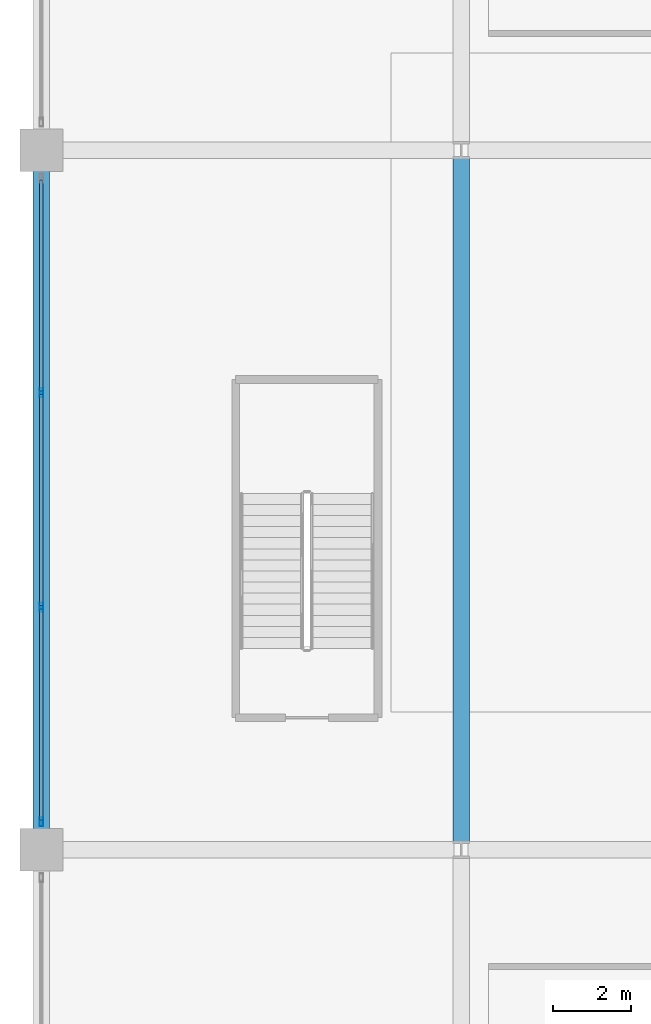
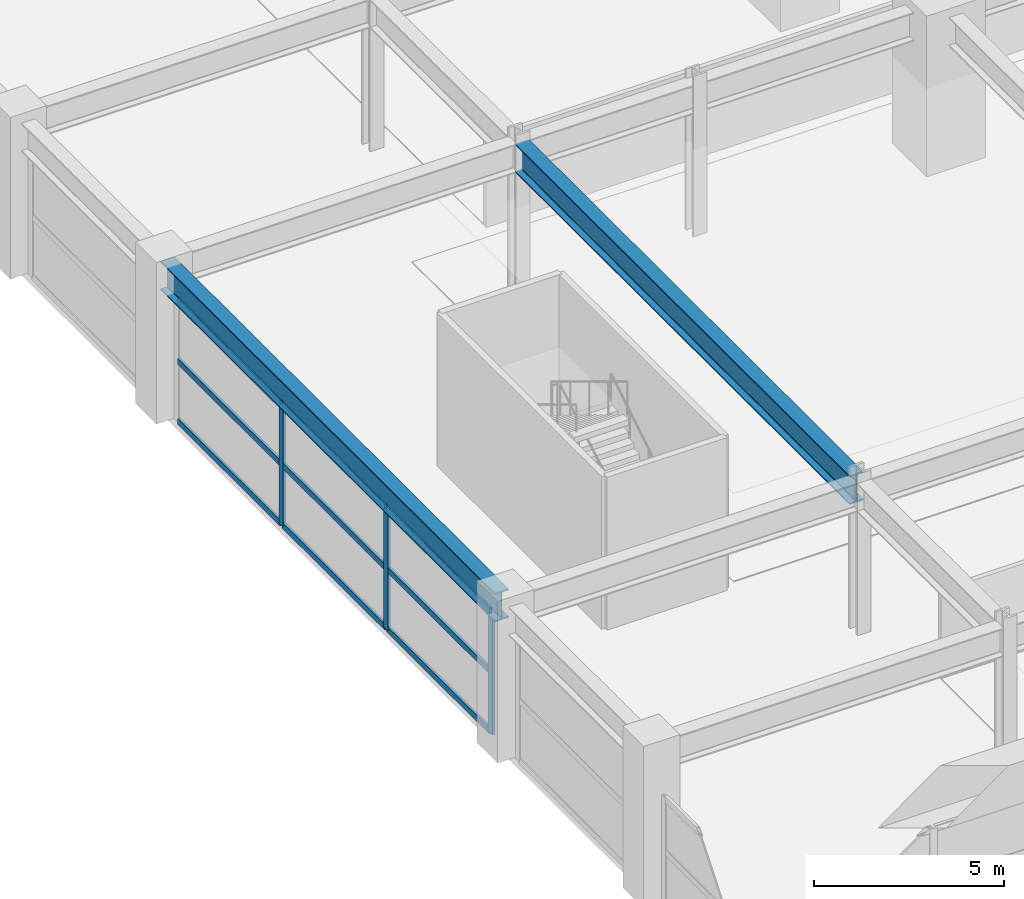
# One storey, part 9 of 43: 12 members, 2 beams, 1 element without a shape of its own.
"""IFC4 building model written with IfcOpenShell, lengths in metres."""

import ifcopenshell
import ifcopenshell.guid

model = None  # the IFC model being written
_history = None  # IfcOwnerHistory: only IFC2X3 demands one
_inside = {}  # id of a spatial element -> (the spatial element, [elements in it])
_under = {}  # id of a project, library or spatial element -> (it, [spatial elements below it])
_declared = {}  # id of a project -> (the project, [libraries it declares])
_typed = {}  # id of a type object -> (the type object, [elements of that type])
_made_of = {}  # id of a material, layer set ... -> (it, [elements and type objects made of it])


def new_model(schema):
    """Start an empty IFC model of exactly this schema.

    Asked for "IFC4X3", IfcOpenShell would pick the latest addendum, in which some entities
    have other attributes; the version numbers below select the first issue.
    IFC2X3 requires an IfcOwnerHistory on every rooted entity: one is made here for all.
    """
    global model, _history
    if schema == "IFC4X3":
        model = ifcopenshell.file(schema_version=(4, 3, 0, 0))
    else:
        model = ifcopenshell.file(schema=schema)
    _inside.clear()
    _under.clear()
    _declared.clear()
    _typed.clear()
    _made_of.clear()
    _history = None
    if model.schema == "IFC2X3":
        org = make("IfcOrganization", Name="unknown")
        user = make(
            "IfcPersonAndOrganization",
            ThePerson=make("IfcPerson", FamilyName="unknown"),
            TheOrganization=org,
        )
        app = make(
            "IfcApplication",
            ApplicationDeveloper=org,
            Version="unknown",
            ApplicationFullName="unknown",
            ApplicationIdentifier="unknown",
        )
        _history = make(
            "IfcOwnerHistory",
            OwningUser=user,
            OwningApplication=app,
            ChangeAction="ADDED",
            CreationDate=0,
        )
    return model


def make(cls, **values):
    """One entity of the class cls with the attributes given. An attribute that is None is left unset."""
    return model.create_entity(
        cls, **{name: value for name, value in values.items() if value is not None}
    )


def rooted(cls, **values):
    """An entity with a GlobalId (a new one), such as an element, a storey or a relation."""
    return make(cls, GlobalId=ifcopenshell.guid.new(), OwnerHistory=_history, **values)


def si_unit(unit_type, name, prefix=None):
    """IfcSIUnit, for example si_unit("LENGTHUNIT", "METRE", prefix="MILLI")."""
    return make("IfcSIUnit", UnitType=unit_type, Prefix=prefix, Name=name)


def assignment(units):
    """IfcUnitAssignment: the units of a project."""
    return None if units is None else make("IfcUnitAssignment", Units=units)


def point(xyz):
    """IfcCartesianPoint."""
    return None if xyz is None else make("IfcCartesianPoint", Coordinates=xyz)


def direction(xyz):
    """IfcDirection."""
    return None if xyz is None else make("IfcDirection", DirectionRatios=xyz)


def frame(location, z_axis=None, x_axis=None):
    """IfcAxis2Placement3D, a coordinate frame: its origin and axes. An axis left out is left unset."""
    return make(
        "IfcAxis2Placement3D",
        Location=point(location),
        Axis=direction(z_axis),
        RefDirection=direction(x_axis),
    )


def frame_2d(location, x_axis=None):
    """IfcAxis2Placement2D, a coordinate frame in the plane: its origin and x axis."""
    return make(
        "IfcAxis2Placement2D", Location=point(location), RefDirection=direction(x_axis)
    )


def origin():
    """The frame at (0, 0, 0) with its axes left unset."""
    return frame((0.0, 0.0, 0.0))


def origin_2d():
    """The frame at (0, 0) in the plane with its x axis left unset."""
    return frame_2d((0.0, 0.0))


def place(relative_to, where):
    """IfcLocalPlacement: puts the frame where relative to a parent placement (None: the world)."""
    return make(
        "IfcLocalPlacement", PlacementRelTo=relative_to, RelativePlacement=where
    )


def context(
    kind, dimensions, precision=None, world=None, true_north=None, identifier=None
):
    """IfcGeometricRepresentationContext, for example the 3D "Model" context."""
    return make(
        "IfcGeometricRepresentationContext",
        ContextIdentifier=identifier,
        ContextType=kind,
        CoordinateSpaceDimension=dimensions,
        Precision=precision,
        WorldCoordinateSystem=world,
        TrueNorth=true_north,
    )


def subcontext(parent, identifier, kind, view, scale=None):
    """IfcGeometricRepresentationSubContext, for example "Body" below "Model"."""
    return make(
        "IfcGeometricRepresentationSubContext",
        ContextIdentifier=identifier,
        ContextType=kind,
        ParentContext=parent,
        TargetScale=scale,
        TargetView=view,
    )


def project(units=None, contexts=None):
    """IfcProject with its units and contexts."""
    return rooted(
        "IfcProject",
        Name="project",
        RepresentationContexts=contexts,
        UnitsInContext=assignment(units),
    )


def spatial(cls, under=None, at=None, **own):
    """A site, building, storey or space (cls), placed at a placement, below another one or the project."""
    s = rooted(cls, ObjectPlacement=at, **own)
    if under is not None:
        _under.setdefault(under.id(), (under, []))[1].append(s)
    return s


def profile(cls, at=None, kind="AREA", **sizes):
    """A parametric profile (cls). Its sizes go by their IFC names, for example OverallWidth=200.0."""
    return make(cls, ProfileType=kind, Position=at, **sizes)


def hollow_rectangle(**sizes):
    """IfcRectangleHollowProfileDef."""
    return profile("IfcRectangleHollowProfileDef", **sizes)


def i_section(**sizes):
    """IfcIShapeProfileDef."""
    return profile("IfcIShapeProfileDef", **sizes)


def extrude(swept, where, along, depth):
    """IfcExtrudedAreaSolid: the profile swept, set in the frame where, extruded along a direction by depth."""
    return make(
        "IfcExtrudedAreaSolid",
        SweptArea=swept,
        Position=where,
        ExtrudedDirection=direction(along),
        Depth=depth,
    )


def shape(context_of_items, identifier, shape_type, items):
    """IfcShapeRepresentation: the items that make up one representation, for example the "Body"."""
    return make(
        "IfcShapeRepresentation",
        ContextOfItems=context_of_items,
        RepresentationIdentifier=identifier,
        RepresentationType=shape_type,
        Items=items,
    )


def material(Name=None, Category=None):
    """IfcMaterial."""
    return make("IfcMaterial", Name=Name, Category=Category)


def material_profile(
    of_material, cross_section, Name=None, Category=None, Priority=None
):
    """IfcMaterialProfile: a cross section and its material."""
    return make(
        "IfcMaterialProfile",
        Name=Name,
        Material=of_material,
        Profile=cross_section,
        Priority=Priority,
        Category=Category,
    )


def profile_set(profiles, Name=None, composite=None):
    """IfcMaterialProfileSet."""
    return make(
        "IfcMaterialProfileSet",
        Name=Name,
        MaterialProfiles=profiles,
        CompositeProfile=composite,
    )


def made_of(thing, what):
    """Note that an element or type object is made of a material, layer set ...; save() writes the relation."""
    if what is not None:
        _made_of.setdefault(what.id(), (what, []))[1].append(thing)
    return thing


def type_object(cls, material=None, **own):
    """A type object (cls), such as IfcWallType, which elements share."""
    return made_of(rooted(cls, **own), material)


def element(
    cls,
    number,
    at=None,
    inside=None,
    cuts=None,
    type_object=None,
    material=None,
    context=None,
    identifier="Body",
    shape_type=None,
    held_by="IfcProductDefinitionShape",
    body=None,
    shapes=None,
    **own,
):
    """One element of the class cls, such as IfcWall. Its Tag is "e" and its number.

    at: its placement. inside: the storey or other place that contains it. cuts: it is an
    opening in that element (IfcRelVoidsElement). A single representation is given by context,
    identifier, shape_type and body (its items); several are given by shapes. held_by: the class
    of the entity that holds the representations. save() writes the other relations.
    """
    e = rooted(cls, Tag="e%d" % number, ObjectPlacement=at, **own)
    if body is not None:
        shapes = [shape(context, identifier, shape_type, body)]
    if shapes is not None:
        e.Representation = make(held_by, Representations=shapes)
    if inside is not None:
        _inside.setdefault(inside.id(), (inside, []))[1].append(e)
    if cuts is not None:
        rooted(
            "IfcRelVoidsElement", RelatingBuildingElement=cuts, RelatedOpeningElement=e
        )
    if type_object is not None:
        _typed.setdefault(type_object.id(), (type_object, []))[1].append(e)
    return made_of(e, material)


def aggregate(whole, parts):
    """IfcRelAggregates: a whole, such as a stair, and the parts it consists of."""
    return rooted("IfcRelAggregates", RelatingObject=whole, RelatedObjects=parts)


def save(model, path):
    """Write the relations noted so far, then the file.

    IfcRelAggregates (storeys below a building ...), IfcRelContainedInSpatialStructure (elements
    in a storey), IfcRelDefinesByType, IfcRelAssociatesMaterial and IfcRelDeclares: one each for
    every whole, place, type object, material and project.
    """
    for whole, parts in _under.values():
        aggregate(whole, parts)
    for where, things in _inside.values():
        rooted(
            "IfcRelContainedInSpatialStructure",
            RelatedElements=things,
            RelatingStructure=where,
        )
    for kind, things in _typed.values():
        rooted("IfcRelDefinesByType", RelatedObjects=things, RelatingType=kind)
    for what, things in _made_of.values():
        rooted("IfcRelAssociatesMaterial", RelatedObjects=things, RelatingMaterial=what)
    for by, libraries in _declared.values():
        rooted("IfcRelDeclares", RelatingContext=by, RelatedDefinitions=libraries)
    model.write(path)


model = new_model("IFC4")

# Units and contexts
model_context = context("Model", 3, precision=1e-05, world=origin(), true_north=direction((0.0, 1.0)))
body_context = subcontext(model_context, "Body", "Model", "MODEL_VIEW")
ifc_project = project(units=[si_unit("LENGTHUNIT", "METRE"), si_unit("AREAUNIT", "SQUARE_METRE"), si_unit("VOLUMEUNIT", "CUBIC_METRE"), si_unit("PLANEANGLEUNIT", "RADIAN"), si_unit("MASSUNIT", "GRAM", prefix="KILO")], contexts=[model_context])

# Site, building, storey
site_placement = place(None, origin())
site = spatial("IfcSite", under=ifc_project, at=site_placement, CompositionType="ELEMENT")
building_placement = place(site_placement, origin())
building = spatial("IfcBuilding", under=site, at=building_placement, Name="Kovane Verandah Tower", CompositionType="ELEMENT")
storey_placement = place(building_placement, frame((0.0, 0.0, 11.199951171875)))
storey = spatial("IfcBuildingStorey", under=building, at=storey_placement, Name="L02", CompositionType="ELEMENT", Elevation=11.199951171875)

# Beams
ifc_material_1 = material(Name="Steel S460", Category="steel")
ifc_material_profile_1 = material_profile(ifc_material_1, i_section(OverallWidth=0.42041015625, OverallDepth=0.9208984375, WebThickness=0.021484375, FlangeThickness=0.03662109375, FilletRadius=0.024169921875, at=origin_2d()), Name="UB914x419x388")
ifc_profile_set_1 = profile_set([ifc_material_profile_1], Name="Steel S460")
beam_type = type_object("IfcBeamType", Name="BM-UB914x388", PredefinedType="BEAM", material=ifc_profile_set_1)
for number, where, z_axis, x_axis, name in (
    (1, (-2.0, 18.679931640625, 4.439453125), (0.0, 1.0, 0.0), (-1.0, 0.0, 0.0), "L02 Podium Grid Girder Y25"),
    (2, (8.800048828125, 18.679931640625, 4.439453125), (0.0, 1.0, 0.0), (-1.0, 0.0, 0.0), "L02 Podium Grid Girder Y29"),
):
    element("IfcBeam", number, at=place(storey_placement, frame(where, z_axis=z_axis, x_axis=x_axis)), inside=storey, type_object=beam_type, Name=name, PredefinedType="BEAM", context=body_context, shape_type="SweptSolid", body=[
        extrude(i_section(OverallWidth=0.42041015625, OverallDepth=0.9208984375, WebThickness=0.021484375, FlangeThickness=0.03662109375, FilletRadius=0.024169921875, at=origin_2d()), origin(), (0.0, 0.0, 1.0), 17.64013671875),
    ])

# Curtain wall, members
ifc_material_2 = material(Name="Champagne Anodised Aluminium Frame with Low-E Clear Laminated Glass", Category="aluminium")
curtain_wall_type = type_object("IfcCurtainWallType", Name="CW-SYS-01-POD", PredefinedType="NOTDEFINED", material=ifc_material_2)
curtain_wall_placement = place(storey_placement, origin())
curtain_wall = element("IfcCurtainWall", 3, at=curtain_wall_placement, inside=storey, type_object=curtain_wall_type, Name="L02 West Podium Curtain Wall Bay 3", PredefinedType="NOTDEFINED")
ifc_material_3 = material(Name="Champagne Anodised Aluminium 6063-T6", Category="aluminium")
ifc_material_profile_2 = material_profile(ifc_material_3, hollow_rectangle(XDim=0.0849609375, YDim=0.22998046875, WallThickness=0.00390625, at=origin_2d()), Name="AL85x230x4")
ifc_profile_set_2 = profile_set([ifc_material_profile_2], Name="Champagne Anodised Aluminium 6063-T6")
member_type_1 = type_object("IfcMemberType", Name="CW-MUL-85x230", PredefinedType="MULLION", material=ifc_profile_set_2)
member_1_placement = place(storey_placement, frame((-2.0, 30.260009765625, 0.02001953125), z_axis=(0.0, 0.0, 1.0), x_axis=(-1.0, 0.0, 0.0)))
member_1 = element("IfcMember", 4, at=member_1_placement, type_object=member_type_1, Name="L02 West Podium Curtain Wall Bay 3 Mullion 2", PredefinedType="MULLION", context=body_context, shape_type="SweptSolid", body=[
    extrude(hollow_rectangle(XDim=0.0849609375, YDim=0.22998046875, WallThickness=0.00390625, at=origin_2d()), origin(), (0.0, 0.0, 1.0), 3.9189453125),
])
member_2_placement = place(storey_placement, frame((-2.0, 24.739990234375, 0.02001953125), z_axis=(0.0, 0.0, 1.0), x_axis=(-1.0, 0.0, 0.0)))
member_2 = element("IfcMember", 5, at=member_2_placement, type_object=member_type_1, Name="L02 West Podium Curtain Wall Bay 3 Mullion 3", PredefinedType="MULLION", context=body_context, shape_type="SweptSolid", body=[
    extrude(hollow_rectangle(XDim=0.0849609375, YDim=0.22998046875, WallThickness=0.00390625, at=origin_2d()), origin(), (0.0, 0.0, 1.0), 3.9189453125),
])
member_3_placement = place(storey_placement, frame((-2.0, 19.219970703125, 0.02001953125), z_axis=(0.0, 0.0, 1.0), x_axis=(-1.0, 0.0, 0.0)))
member_3 = element("IfcMember", 6, at=member_3_placement, type_object=member_type_1, Name="L02 West Podium Curtain Wall Bay 3 Mullion 4", PredefinedType="MULLION", context=body_context, shape_type="SweptSolid", body=[
    extrude(hollow_rectangle(XDim=0.0849609375, YDim=0.22998046875, WallThickness=0.00390625, at=origin_2d()), origin(), (0.0, 0.0, 1.0), 3.9189453125),
])
ifc_material_profile_3 = material_profile(ifc_material_3, hollow_rectangle(XDim=0.0849609375, YDim=0.18994140625, WallThickness=0.00390625, at=origin_2d()), Name="AL85x190x4")
ifc_profile_set_3 = profile_set([ifc_material_profile_3], Name="Champagne Anodised Aluminium 6063-T6")
member_type_2 = type_object("IfcMemberType", Name="CW-TRN-85x190", PredefinedType="USERDEFINED", material=ifc_profile_set_3)
member_4_placement = place(storey_placement, frame((-2.0, 35.72998046875, 0.050048828125), z_axis=(0.0, -1.0, 0.0), x_axis=(1.0, 0.0, 0.0)))
member_4 = element("IfcMember", 7, at=member_4_placement, type_object=member_type_2, Name="L02 West Podium Curtain Wall Bay 3 Transom TB Bay 1", ObjectType="TRANSOM", PredefinedType="USERDEFINED", context=body_context, shape_type="SweptSolid", body=[
    extrude(hollow_rectangle(XDim=0.0849609375, YDim=0.18994140625, WallThickness=0.00390625, at=origin_2d()), origin(), (0.0, 0.0, 1.0), 5.419921875),
])
member_5_placement = place(storey_placement, frame((-2.0, 35.72998046875, 1.9794921875), z_axis=(0.0, -1.0, 0.0), x_axis=(1.0, 0.0, 0.0)))
member_5 = element("IfcMember", 8, at=member_5_placement, type_object=member_type_2, Name="L02 West Podium Curtain Wall Bay 3 Transom TM Bay 1", ObjectType="TRANSOM", PredefinedType="USERDEFINED", context=body_context, shape_type="SweptSolid", body=[
    extrude(hollow_rectangle(XDim=0.0849609375, YDim=0.18994140625, WallThickness=0.00390625, at=origin_2d()), origin(), (0.0, 0.0, 1.0), 5.419921875),
])
member_6_placement = place(storey_placement, frame((-2.0, 35.72998046875, 3.908935546875), z_axis=(0.0, -1.0, 0.0), x_axis=(1.0, 0.0, 0.0)))
member_6 = element("IfcMember", 9, at=member_6_placement, type_object=member_type_2, Name="L02 West Podium Curtain Wall Bay 3 Transom TT Bay 1", ObjectType="TRANSOM", PredefinedType="USERDEFINED", context=body_context, shape_type="SweptSolid", body=[
    extrude(hollow_rectangle(XDim=0.0849609375, YDim=0.18994140625, WallThickness=0.00390625, at=origin_2d()), origin(), (0.0, 0.0, 1.0), 5.419921875),
])
member_7_placement = place(storey_placement, frame((-2.0, 30.2099609375, 0.050048828125), z_axis=(0.0, -1.0, 0.0), x_axis=(1.0, 0.0, 0.0)))
member_7 = element("IfcMember", 10, at=member_7_placement, type_object=member_type_2, Name="L02 West Podium Curtain Wall Bay 3 Transom TB Bay 2", ObjectType="TRANSOM", PredefinedType="USERDEFINED", context=body_context, shape_type="SweptSolid", body=[
    extrude(hollow_rectangle(XDim=0.0849609375, YDim=0.18994140625, WallThickness=0.00390625, at=origin_2d()), origin(), (0.0, 0.0, 1.0), 5.419921875),
])
member_8_placement = place(storey_placement, frame((-2.0, 30.2099609375, 1.9794921875), z_axis=(0.0, -1.0, 0.0), x_axis=(1.0, 0.0, 0.0)))
member_8 = element("IfcMember", 11, at=member_8_placement, type_object=member_type_2, Name="L02 West Podium Curtain Wall Bay 3 Transom TM Bay 2", ObjectType="TRANSOM", PredefinedType="USERDEFINED", context=body_context, shape_type="SweptSolid", body=[
    extrude(hollow_rectangle(XDim=0.0849609375, YDim=0.18994140625, WallThickness=0.00390625, at=origin_2d()), origin(), (0.0, 0.0, 1.0), 5.419921875),
])
member_9_placement = place(storey_placement, frame((-2.0, 30.2099609375, 3.908935546875), z_axis=(0.0, -1.0, 0.0), x_axis=(1.0, 0.0, 0.0)))
member_9 = element("IfcMember", 12, at=member_9_placement, type_object=member_type_2, Name="L02 West Podium Curtain Wall Bay 3 Transom TT Bay 2", ObjectType="TRANSOM", PredefinedType="USERDEFINED", context=body_context, shape_type="SweptSolid", body=[
    extrude(hollow_rectangle(XDim=0.0849609375, YDim=0.18994140625, WallThickness=0.00390625, at=origin_2d()), origin(), (0.0, 0.0, 1.0), 5.419921875),
])
member_10_placement = place(storey_placement, frame((-2.0, 24.68994140625, 0.050048828125), z_axis=(0.0, -1.0, 0.0), x_axis=(1.0, 0.0, 0.0)))
member_10 = element("IfcMember", 13, at=member_10_placement, type_object=member_type_2, Name="L02 West Podium Curtain Wall Bay 3 Transom TB Bay 3", ObjectType="TRANSOM", PredefinedType="USERDEFINED", context=body_context, shape_type="SweptSolid", body=[
    extrude(hollow_rectangle(XDim=0.0849609375, YDim=0.18994140625, WallThickness=0.00390625, at=origin_2d()), origin(), (0.0, 0.0, 1.0), 5.419921875),
])
member_11_placement = place(storey_placement, frame((-2.0, 24.68994140625, 1.9794921875), z_axis=(0.0, -1.0, 0.0), x_axis=(1.0, 0.0, 0.0)))
member_11 = element("IfcMember", 14, at=member_11_placement, type_object=member_type_2, Name="L02 West Podium Curtain Wall Bay 3 Transom TM Bay 3", ObjectType="TRANSOM", PredefinedType="USERDEFINED", context=body_context, shape_type="SweptSolid", body=[
    extrude(hollow_rectangle(XDim=0.0849609375, YDim=0.18994140625, WallThickness=0.00390625, at=origin_2d()), origin(), (0.0, 0.0, 1.0), 5.419921875),
])
member_12_placement = place(storey_placement, frame((-2.0, 24.68994140625, 3.908935546875), z_axis=(0.0, -1.0, 0.0), x_axis=(1.0, 0.0, 0.0)))
member_12 = element("IfcMember", 15, at=member_12_placement, type_object=member_type_2, Name="L02 West Podium Curtain Wall Bay 3 Transom TT Bay 3", ObjectType="TRANSOM", PredefinedType="USERDEFINED", context=body_context, shape_type="SweptSolid", body=[
    extrude(hollow_rectangle(XDim=0.0849609375, YDim=0.18994140625, WallThickness=0.00390625, at=origin_2d()), origin(), (0.0, 0.0, 1.0), 5.419921875),
])
aggregate(curtain_wall, [member_1, member_2, member_3, member_4, member_5, member_6, member_7, member_8, member_9, member_10, member_11, member_12])

save(model, "model.ifc")
